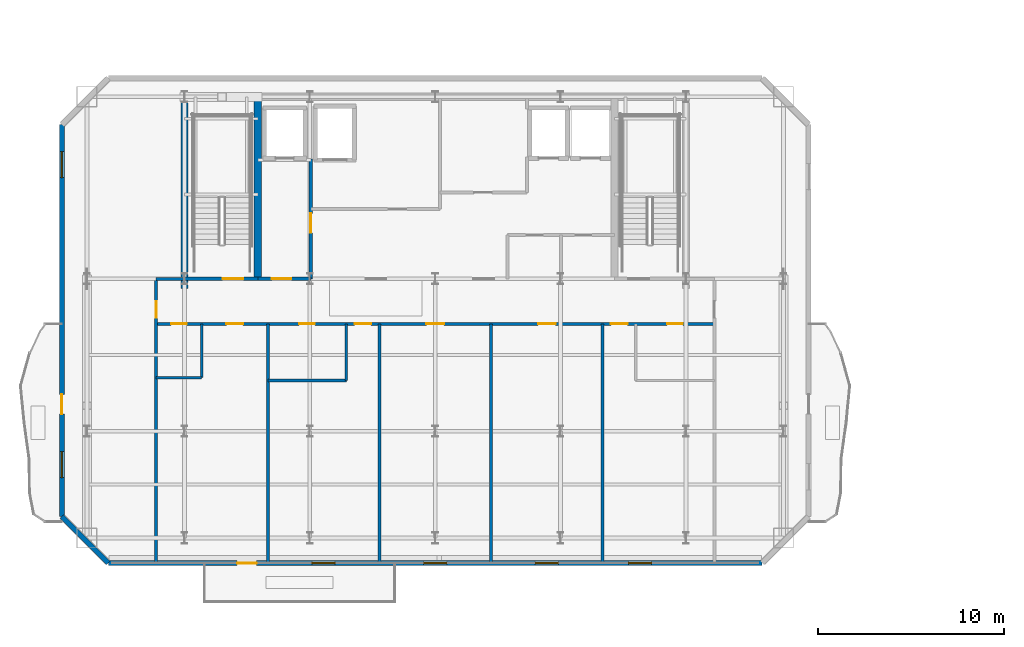
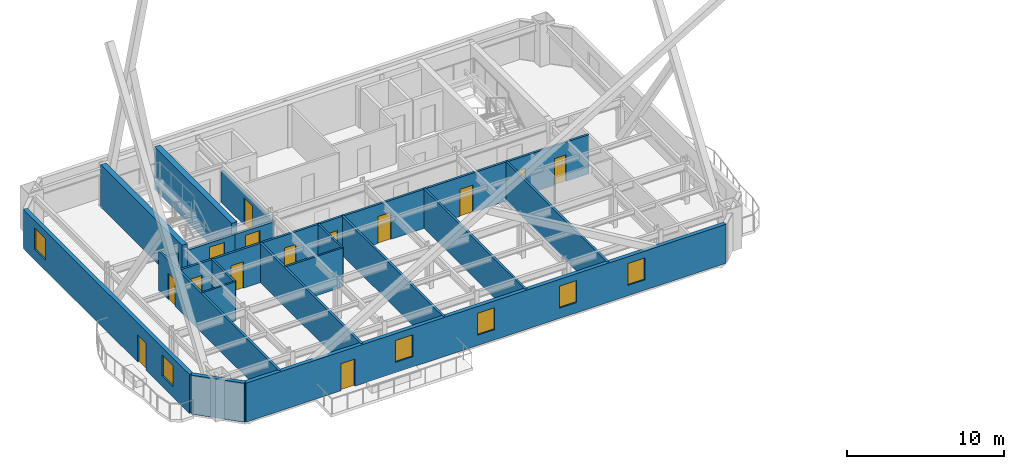
# One storey, part 10 of 19: 19 walls, 14 doors, 6 windows, 20 openings.
"""IFC4 building model written with IfcOpenShell, lengths in metres."""

from ifc_helpers import new_model, si_unit, direction, frame, frame_2d, origin, place, context, subcontext, project, spatial, rectangle, extrude, material, layer, layer_set, type_object, element, fill, save


model = new_model("IFC4")

# Units and contexts
model_context = context("Model", 3, precision=1e-05, world=origin(), true_north=direction((0.0, 1.0)))
body_context = subcontext(model_context, "Body", "Model", "MODEL_VIEW")
ifc_project = project(units=[si_unit("LENGTHUNIT", "METRE"), si_unit("AREAUNIT", "SQUARE_METRE"), si_unit("VOLUMEUNIT", "CUBIC_METRE"), si_unit("PLANEANGLEUNIT", "RADIAN"), si_unit("MASSUNIT", "GRAM", prefix="KILO")], contexts=[model_context])

# Site, building, storey
site_placement = place(None, origin())
site = spatial("IfcSite", under=ifc_project, at=site_placement, CompositionType="ELEMENT")
building_placement = place(site_placement, origin())
building = spatial("IfcBuilding", under=site, at=building_placement, Name="Haevon Station Towers", CompositionType="ELEMENT")
storey_placement = place(building_placement, frame((0.0, 0.0, 218.699951171875)))
storey = spatial("IfcBuildingStorey", under=building, at=storey_placement, Name="L60", CompositionType="ELEMENT", Elevation=218.699951171875)

# Wall, opening, door
ifc_material_1 = material(Name="Gypsum board on steel stud", Category="steel")
ifc_layer_1 = layer(ifc_material_1, 0.199951171875)
ifc_layer_set_1 = layer_set([ifc_layer_1], Name="Gypsum board on steel stud")
wall_type_1 = type_object("IfcWallType", Name="WL-COR200", PredefinedType="PARTITIONING", material=ifc_layer_set_1)
wall_1_placement = place(storey_placement, frame((24.0, 38.199951171875, 0.0), z_axis=(0.0, 0.0, 1.0), x_axis=(1.0, 0.0, 0.0)))
wall_1 = element("IfcWall", 1, at=wall_1_placement, inside=storey, type_object=wall_type_1, Name="WL-ST-ST1-L60", PredefinedType="PARTITIONING", context=body_context, shape_type="SweptSolid", body=[
    extrude(rectangle(XDim=3.949951171875, YDim=0.199951171875, at=frame_2d((1.97509765625, 0.0))), origin(), (0.0, 0.0, 1.0), 2.429931640625),
])
opening_1_placement = place(wall_1_placement, frame((2.050048828125, 0.0, 0.0)))
opening_1 = element("IfcOpeningElement", 2, at=opening_1_placement, cuts=wall_1, Name="Opening DR-ST-ST1-L60", PredefinedType="OPENING", context=body_context, shape_type="SweptSolid", body=[
    extrude(rectangle(XDim=1.1201171875, YDim=2.10009765625, at=frame_2d((0.56005859375, 1.050048828125))), frame((0.0, 0.10986328125, 0.0), z_axis=(0.0, -1.0, 0.0), x_axis=(1.0, 0.0, 0.0)), (0.0, 0.0, 1.0), 0.219970703125),
])
ifc_material_2 = material(Name="Engineered oak timber", Category="wood")
door_type_1 = type_object("IfcDoorType", Name="DR-ST-1120", OperationType="NOTDEFINED", PredefinedType="DOOR", material=ifc_material_2)
door_1_placement = place(opening_1_placement, origin())
door_1 = element("IfcDoor", 3, at=door_1_placement, inside=storey, type_object=door_type_1, Name="L60 Escape Stair ST1 Fire Door", OperationType="SINGLE_SWING_LEFT", OverallHeight=2.10009765625, OverallWidth=1.1201171875, PredefinedType="DOOR", context=body_context, shape_type="SweptSolid", body=[
    extrude(rectangle(XDim=1.1201171875, YDim=2.10009765625, at=frame_2d((0.56005859375, 1.050048828125))), frame((0.0, 0.02490234375, 0.0), z_axis=(0.0, -1.0, 0.0), x_axis=(1.0, 0.0, 0.0)), (0.0, 0.0, 1.0), 0.050048828125),
])
fill(opening_1, door_1)

wall_2_placement = place(storey_placement, frame((30.800048828125, 38.199951171875, 0.0), z_axis=(0.0, 0.0, 1.0), x_axis=(0.0, 1.0, 0.0)))
wall_2 = element("IfcWall", 4, at=wall_2_placement, inside=storey, type_object=wall_type_1, Name="WL-T1FFL-L60-E", PredefinedType="PARTITIONING", context=body_context, shape_type="SweptSolid", body=[
    extrude(rectangle(XDim=6.449951171875, YDim=0.199951171875, at=frame_2d((3.22509765625, 0.0))), origin(), (0.0, 0.0, 1.0), 2.429931640625),
])
opening_2_placement = place(wall_2_placement, frame((2.469970703125, 0.0, 0.0)))
opening_2 = element("IfcOpeningElement", 5, at=opening_2_placement, cuts=wall_2, Name="Opening DR-T1FFL-L60-E", PredefinedType="OPENING", context=body_context, shape_type="SweptSolid", body=[
    extrude(rectangle(XDim=1.050048828125, YDim=2.10009765625, at=frame_2d((0.52490234375, 1.050048828125))), frame((0.0, 0.10986328125, 0.0), z_axis=(0.0, -1.0, 0.0), x_axis=(1.0, 0.0, 0.0)), (0.0, 0.0, 1.0), 0.219970703125),
])
door_type_2 = type_object("IfcDoorType", Name="DR-FD60-1050", OperationType="NOTDEFINED", PredefinedType="DOOR", material=ifc_material_2)
door_2_placement = place(opening_2_placement, origin())
door_2 = element("IfcDoor", 6, at=door_2_placement, inside=storey, type_object=door_type_2, Name="L60 Tower 1 Firefighting Lift Lobby Door E", OperationType="SINGLE_SWING_LEFT", OverallHeight=2.10009765625, OverallWidth=1.050048828125, PredefinedType="DOOR", context=body_context, shape_type="SweptSolid", body=[
    extrude(rectangle(XDim=1.050048828125, YDim=2.10009765625, at=frame_2d((0.52490234375, 1.050048828125))), frame((0.0, 0.02490234375, 0.0), z_axis=(0.0, -1.0, 0.0), x_axis=(1.0, 0.0, 0.0)), (0.0, 0.0, 1.0), 0.050048828125),
])
fill(opening_2, door_2)

wall_3_placement = place(storey_placement, frame((27.949951171875, 38.199951171875, 0.0), z_axis=(0.0, 0.0, 1.0), x_axis=(1.0, 0.0, 0.0)))
wall_3 = element("IfcWall", 7, at=wall_3_placement, inside=storey, type_object=wall_type_1, Name="WL-T1FFL-L60-S", PredefinedType="PARTITIONING", context=body_context, shape_type="SweptSolid", body=[
    extrude(rectangle(XDim=2.85009765625, YDim=0.199951171875, at=frame_2d((1.425048828125, 0.0))), origin(), (0.0, 0.0, 1.0), 2.429931640625),
])
opening_3_placement = place(wall_3_placement, frame((0.75, 0.0, 0.0)))
opening_3 = element("IfcOpeningElement", 8, at=opening_3_placement, cuts=wall_3, Name="Opening DR-T1FFL-L60-S", PredefinedType="OPENING", context=body_context, shape_type="SweptSolid", body=[
    extrude(rectangle(XDim=1.050048828125, YDim=2.10009765625, at=frame_2d((0.52490234375, 1.050048828125))), frame((0.0, 0.10986328125, 0.0), z_axis=(0.0, -1.0, 0.0), x_axis=(1.0, 0.0, 0.0)), (0.0, 0.0, 1.0), 0.219970703125),
])
door_3_placement = place(opening_3_placement, origin())
door_3 = element("IfcDoor", 9, at=door_3_placement, inside=storey, type_object=door_type_2, Name="L60 Tower 1 Firefighting Lift Lobby Door S", OperationType="SINGLE_SWING_RIGHT", OverallHeight=2.10009765625, OverallWidth=1.050048828125, PredefinedType="DOOR", context=body_context, shape_type="SweptSolid", body=[
    extrude(rectangle(XDim=1.050048828125, YDim=2.10009765625, at=frame_2d((0.52490234375, 1.050048828125))), frame((0.0, 0.02490234375, 0.0), z_axis=(0.0, -1.0, 0.0), x_axis=(1.0, 0.0, 0.0)), (0.0, 0.0, 1.0), 0.050048828125),
])
fill(opening_3, door_3)

# Walls
ifc_material_3 = material(Name="Concrete C60/75", Category="concrete")
ifc_layer_2 = layer(ifc_material_3, 0.39990234375)
ifc_layer_set_2 = layer_set([ifc_layer_2], Name="Concrete C60/75")
wall_type_2 = type_object("IfcWallType", Name="WL-CR400", PredefinedType="SHEAR", material=ifc_layer_set_2)
wall_4_placement = place(storey_placement, frame((24.0, 37.679931640625, 0.0), z_axis=(0.0, 0.0, 1.0), x_axis=(0.0, 1.0, 0.0)))
element("IfcWall", 10, at=wall_4_placement, inside=storey, type_object=wall_type_2, Name="WL-T1CR-L60-W", PredefinedType="SHEAR", context=body_context, shape_type="SweptSolid", body=[
    extrude(rectangle(XDim=10.320068359375, YDim=0.39990234375, at=frame_2d((5.16015625, 0.0))), origin(), (0.0, 0.0, 1.0), 3.300048828125),
])
wall_5_placement = place(storey_placement, frame((27.949951171875, 38.199951171875, 0.0), z_axis=(0.0, 0.0, 1.0), x_axis=(0.0, 1.0, 0.0)))
element("IfcWall", 11, at=wall_5_placement, inside=storey, type_object=wall_type_2, Name="WL-T1CR-L60-M1", PredefinedType="SHEAR", context=body_context, shape_type="SweptSolid", body=[
    extrude(rectangle(XDim=9.800048828125, YDim=0.39990234375, at=frame_2d((4.89990234375, 0.0))), origin(), (0.0, 0.0, 1.0), 3.300048828125),
])

# Wall, openings, door, windows
ifc_material_4 = material(Name="Precast concrete C45/55", Category="concrete")
ifc_layer_3 = layer(ifc_material_4, 0.280029296875)
ifc_layer_set_3 = layer_set([ifc_layer_3], Name="Precast concrete C45/55")
wall_type_3 = type_object("IfcWallType", Name="WL-EXT-PIER280", PredefinedType="SOLIDWALL", material=ifc_layer_set_3)
wall_6_placement = place(storey_placement, frame((55.10009765625, 22.89990234375, 0.0), z_axis=(0.0, 0.0, 1.0), x_axis=(-1.0, 0.0, 0.0)))
wall_6 = element("IfcWall", 12, at=wall_6_placement, inside=storey, type_object=wall_type_3, Name="WL-T1-L60-S", PredefinedType="SOLIDWALL", context=body_context, shape_type="SweptSolid", body=[
    extrude(rectangle(XDim=35.2001953125, YDim=0.280029296875, at=frame_2d((17.60009765625, 0.0))), origin(), (0.0, 0.0, 1.0), 3.030029296875),
])
opening_4_placement = place(wall_6_placement, frame((27.21533203125, 0.0, 0.0)))
opening_4 = element("IfcOpeningElement", 13, at=opening_4_placement, cuts=wall_6, Name="Opening DR-T1-PBAND-L60-1", PredefinedType="OPENING", context=body_context, shape_type="SweptSolid", body=[
    extrude(rectangle(XDim=1.050048828125, YDim=2.10009765625, at=frame_2d((0.52490234375, 1.050048828125))), frame((0.0, 0.14990234375, 0.0), z_axis=(0.0, -1.0, 0.0), x_axis=(1.0, 0.0, 0.0)), (0.0, 0.0, 1.0), 0.300048828125),
])
opening_5_placement = place(wall_6_placement, frame((22.985107421875, 0.0, 0.800048828125)))
opening_5 = element("IfcOpeningElement", 14, at=opening_5_placement, cuts=wall_6, Name="Opening WN-P125", PredefinedType="OPENING", context=body_context, shape_type="SweptSolid", body=[
    extrude(rectangle(XDim=1.25, YDim=1.699951171875, at=frame_2d((0.625, 0.85009765625))), frame((0.0, 0.14990234375, 0.0), z_axis=(0.0, -1.0, 0.0), x_axis=(1.0, 0.0, 0.0)), (0.0, 0.0, 1.0), 0.300048828125),
])
opening_6_placement = place(wall_6_placement, frame((16.97509765625, 0.0, 0.800048828125)))
opening_6 = element("IfcOpeningElement", 15, at=opening_6_placement, cuts=wall_6, Name="Opening WN-P125", PredefinedType="OPENING", context=body_context, shape_type="SweptSolid", body=[
    extrude(rectangle(XDim=1.25, YDim=1.699951171875, at=frame_2d((0.625, 0.85009765625))), frame((0.0, 0.14990234375, 0.0), z_axis=(0.0, -1.0, 0.0), x_axis=(1.0, 0.0, 0.0)), (0.0, 0.0, 1.0), 0.300048828125),
])
opening_7_placement = place(wall_6_placement, frame((10.965087890625, 0.0, 0.800048828125)))
opening_7 = element("IfcOpeningElement", 16, at=opening_7_placement, cuts=wall_6, Name="Opening WN-P125", PredefinedType="OPENING", context=body_context, shape_type="SweptSolid", body=[
    extrude(rectangle(XDim=1.25, YDim=1.699951171875, at=frame_2d((0.625, 0.85009765625))), frame((0.0, 0.14990234375, 0.0), z_axis=(0.0, -1.0, 0.0), x_axis=(1.0, 0.0, 0.0)), (0.0, 0.0, 1.0), 0.300048828125),
])
opening_8_placement = place(wall_6_placement, frame((5.955078125, 0.0, 0.800048828125)))
opening_8 = element("IfcOpeningElement", 17, at=opening_8_placement, cuts=wall_6, Name="Opening WN-P125", PredefinedType="OPENING", context=body_context, shape_type="SweptSolid", body=[
    extrude(rectangle(XDim=1.25, YDim=1.699951171875, at=frame_2d((0.625, 0.85009765625))), frame((0.0, 0.14990234375, 0.0), z_axis=(0.0, -1.0, 0.0), x_axis=(1.0, 0.0, 0.0)), (0.0, 0.0, 1.0), 0.300048828125),
])
ifc_material_5 = material(Name="Thermally broken anodised aluminium and laminated safety glass", Category="aluminium")
door_type_3 = type_object("IfcDoorType", Name="DR-BALC-1050", OperationType="NOTDEFINED", PredefinedType="DOOR", material=ifc_material_5)
door_4_placement = place(opening_4_placement, origin())
door_4 = element("IfcDoor", 18, at=door_4_placement, inside=storey, type_object=door_type_3, Name="Tower 1 L60 Balcony Terrace Door", OperationType="SINGLE_SWING_RIGHT", OverallHeight=2.10009765625, OverallWidth=1.050048828125, PredefinedType="DOOR", context=body_context, shape_type="SweptSolid", body=[
    extrude(rectangle(XDim=1.050048828125, YDim=2.10009765625, at=frame_2d((0.52490234375, 1.050048828125))), frame((0.0, 0.02490234375, 0.0), z_axis=(0.0, -1.0, 0.0), x_axis=(1.0, 0.0, 0.0)), (0.0, 0.0, 1.0), 0.050048828125),
])
fill(opening_4, door_4)
ifc_material_6 = material(Name="Low-E triple glazing in thermally broken aluminium", Category="aluminium")
window_type_1 = type_object("IfcWindowType", Name="WN-P125", PartitioningType="SINGLE_PANEL", PredefinedType="WINDOW", material=ifc_material_6)
window_1_placement = place(opening_5_placement, origin())
window_1 = element("IfcWindow", 19, at=window_1_placement, inside=storey, type_object=window_type_1, Name="WN-T1-L60-S01", OverallHeight=1.699951171875, OverallWidth=1.25, PartitioningType="SINGLE_PANEL", PredefinedType="WINDOW", context=body_context, shape_type="SweptSolid", body=[
    extrude(rectangle(XDim=1.25, YDim=1.699951171875, at=frame_2d((0.625, 0.85009765625))), frame((0.0, 0.030029296875, 0.0), z_axis=(0.0, -1.0, 0.0), x_axis=(1.0, 0.0, 0.0)), (0.0, 0.0, 1.0), 0.06005859375),
])
fill(opening_5, window_1)
window_2_placement = place(opening_6_placement, origin())
window_2 = element("IfcWindow", 20, at=window_2_placement, inside=storey, type_object=window_type_1, Name="WN-T1-L60-S02", OverallHeight=1.699951171875, OverallWidth=1.25, PartitioningType="SINGLE_PANEL", PredefinedType="WINDOW", context=body_context, shape_type="SweptSolid", body=[
    extrude(rectangle(XDim=1.25, YDim=1.699951171875, at=frame_2d((0.625, 0.85009765625))), frame((0.0, 0.030029296875, 0.0), z_axis=(0.0, -1.0, 0.0), x_axis=(1.0, 0.0, 0.0)), (0.0, 0.0, 1.0), 0.06005859375),
])
fill(opening_6, window_2)
window_3_placement = place(opening_7_placement, origin())
window_3 = element("IfcWindow", 21, at=window_3_placement, inside=storey, type_object=window_type_1, Name="WN-T1-L60-S03", OverallHeight=1.699951171875, OverallWidth=1.25, PartitioningType="SINGLE_PANEL", PredefinedType="WINDOW", context=body_context, shape_type="SweptSolid", body=[
    extrude(rectangle(XDim=1.25, YDim=1.699951171875, at=frame_2d((0.625, 0.85009765625))), frame((0.0, 0.030029296875, 0.0), z_axis=(0.0, -1.0, 0.0), x_axis=(1.0, 0.0, 0.0)), (0.0, 0.0, 1.0), 0.06005859375),
])
fill(opening_7, window_3)
window_4_placement = place(opening_8_placement, origin())
window_4 = element("IfcWindow", 22, at=window_4_placement, inside=storey, type_object=window_type_1, Name="WN-T1-L60-S04", OverallHeight=1.699951171875, OverallWidth=1.25, PartitioningType="SINGLE_PANEL", PredefinedType="WINDOW", context=body_context, shape_type="SweptSolid", body=[
    extrude(rectangle(XDim=1.25, YDim=1.699951171875, at=frame_2d((0.625, 0.85009765625))), frame((0.0, 0.030029296875, 0.0), z_axis=(0.0, -1.0, 0.0), x_axis=(1.0, 0.0, 0.0)), (0.0, 0.0, 1.0), 0.06005859375),
])
fill(opening_8, window_4)

# Wall
wall_7_placement = place(storey_placement, frame((19.89990234375, 22.89990234375, 0.0), z_axis=(0.0, 0.0, 1.0), x_axis=(-0.707106781187, 0.707106781187, 0.0)))
element("IfcWall", 23, at=wall_7_placement, inside=storey, type_object=wall_type_3, Name="WL-T1-L60-SWC", PredefinedType="SOLIDWALL", context=body_context, shape_type="SweptSolid", body=[
    extrude(rectangle(XDim=3.53564453125, YDim=0.280029296875, at=frame_2d((1.767822265625, 0.0))), origin(), (0.0, 0.0, 1.0), 3.030029296875),
])

# Wall, openings, door, windows
wall_8_placement = place(storey_placement, frame((17.39990234375, 25.39990234375, 0.0), z_axis=(0.0, 0.0, 1.0), x_axis=(0.0, 1.0, 0.0)))
wall_8 = element("IfcWall", 24, at=wall_8_placement, inside=storey, type_object=wall_type_3, Name="WL-T1-L60-W", PredefinedType="SOLIDWALL", context=body_context, shape_type="SweptSolid", body=[
    extrude(rectangle(XDim=21.10009765625, YDim=0.280029296875, at=frame_2d((10.550048828125, 0.0))), origin(), (0.0, 0.0, 1.0), 3.030029296875),
])
opening_9_placement = place(wall_8_placement, frame((5.52490234375, 0.0, 0.0)))
opening_9 = element("IfcOpeningElement", 25, at=opening_9_placement, cuts=wall_8, Name="Opening DR-T1-SCAL-L60-W", PredefinedType="OPENING", context=body_context, shape_type="SweptSolid", body=[
    extrude(rectangle(XDim=1.050048828125, YDim=2.10009765625, at=frame_2d((0.52490234375, 1.050048828125))), frame((0.0, 0.14990234375, 0.0), z_axis=(0.0, -1.0, 0.0), x_axis=(1.0, 0.0, 0.0)), (0.0, 0.0, 1.0), 0.300048828125),
])
opening_10_placement = place(wall_8_placement, frame((2.093017578125, 0.0, 0.800048828125)))
opening_10 = element("IfcOpeningElement", 26, at=opening_10_placement, cuts=wall_8, Name="Opening WN-END140", PredefinedType="OPENING", context=body_context, shape_type="SweptSolid", body=[
    extrude(rectangle(XDim=1.39990234375, YDim=1.64990234375, at=frame_2d((0.699951171875, 0.824951171875))), frame((0.0, 0.14990234375, 0.0), z_axis=(0.0, -1.0, 0.0), x_axis=(1.0, 0.0, 0.0)), (0.0, 0.0, 1.0), 0.300048828125),
])
opening_11_placement = place(wall_8_placement, frame((18.253662109375, 0.0, 0.800048828125)))
opening_11 = element("IfcOpeningElement", 27, at=opening_11_placement, cuts=wall_8, Name="Opening WN-END140", PredefinedType="OPENING", context=body_context, shape_type="SweptSolid", body=[
    extrude(rectangle(XDim=1.39990234375, YDim=1.64990234375, at=frame_2d((0.699951171875, 0.824951171875))), frame((0.0, 0.14990234375, 0.0), z_axis=(0.0, -1.0, 0.0), x_axis=(1.0, 0.0, 0.0)), (0.0, 0.0, 1.0), 0.300048828125),
])
door_5_placement = place(opening_9_placement, origin())
door_5 = element("IfcDoor", 28, at=door_5_placement, inside=storey, type_object=door_type_3, Name="Tower 1 L60 West Scalloped Balcony Door", OperationType="SINGLE_SWING_LEFT", OverallHeight=2.10009765625, OverallWidth=1.050048828125, PredefinedType="DOOR", context=body_context, shape_type="SweptSolid", body=[
    extrude(rectangle(XDim=1.050048828125, YDim=2.10009765625, at=frame_2d((0.52490234375, 1.050048828125))), frame((0.0, 0.02490234375, 0.0), z_axis=(0.0, -1.0, 0.0), x_axis=(1.0, 0.0, 0.0)), (0.0, 0.0, 1.0), 0.050048828125),
])
fill(opening_9, door_5)
window_type_2 = type_object("IfcWindowType", Name="WN-END140", PartitioningType="SINGLE_PANEL", PredefinedType="WINDOW", material=ifc_material_6)
window_5_placement = place(opening_10_placement, origin())
window_5 = element("IfcWindow", 29, at=window_5_placement, inside=storey, type_object=window_type_2, Name="WN-T1-L60-W01", OverallHeight=1.64990234375, OverallWidth=1.39990234375, PartitioningType="SINGLE_PANEL", PredefinedType="WINDOW", context=body_context, shape_type="SweptSolid", body=[
    extrude(rectangle(XDim=1.39990234375, YDim=1.64990234375, at=frame_2d((0.699951171875, 0.824951171875))), frame((0.0, 0.030029296875, 0.0), z_axis=(0.0, -1.0, 0.0), x_axis=(1.0, 0.0, 0.0)), (0.0, 0.0, 1.0), 0.06005859375),
])
fill(opening_10, window_5)
window_6_placement = place(opening_11_placement, origin())
window_6 = element("IfcWindow", 30, at=window_6_placement, inside=storey, type_object=window_type_2, Name="WN-T1-L60-W02", OverallHeight=1.64990234375, OverallWidth=1.39990234375, PartitioningType="SINGLE_PANEL", PredefinedType="WINDOW", context=body_context, shape_type="SweptSolid", body=[
    extrude(rectangle(XDim=1.39990234375, YDim=1.64990234375, at=frame_2d((0.699951171875, 0.824951171875))), frame((0.0, 0.030029296875, 0.0), z_axis=(0.0, -1.0, 0.0), x_axis=(1.0, 0.0, 0.0)), (0.0, 0.0, 1.0), 0.06005859375),
])
fill(opening_11, window_6)

# Walls
ifc_layer_4 = layer(ifc_material_1, 0.125)
ifc_layer_set_4 = layer_set([ifc_layer_4], Name="Gypsum board on steel stud")
wall_type_4 = type_object("IfcWallType", Name="WL-PRT125", PredefinedType="PARTITIONING", material=ifc_layer_set_4)
wall_9_placement = place(storey_placement, frame((22.47509765625, 32.8798828125, 0.0), z_axis=(0.0, 0.0, 1.0), x_axis=(1.0, 0.0, 0.0)))
element("IfcWall", 31, at=wall_9_placement, inside=storey, type_object=wall_type_4, Name="WL-T1PT-L60-05", PredefinedType="PARTITIONING", context=body_context, shape_type="SweptSolid", body=[
    extrude(rectangle(XDim=2.449951171875, YDim=0.125, at=frame_2d((1.22509765625, 0.0))), origin(), (0.0, 0.0, 1.0), 3.030029296875),
])
wall_10_placement = place(storey_placement, frame((32.715087890625, 32.72998046875, 0.0), z_axis=(0.0, 0.0, 1.0), x_axis=(0.0, 1.0, 0.0)))
element("IfcWall", 32, at=wall_10_placement, inside=storey, type_object=wall_type_4, Name="WL-T1PT-L60-09", PredefinedType="PARTITIONING", context=body_context, shape_type="SweptSolid", body=[
    extrude(rectangle(XDim=3.050048828125, YDim=0.125, at=frame_2d((1.52490234375, 0.0))), origin(), (0.0, 0.0, 1.0), 3.030029296875),
])
ifc_layer_5 = layer(ifc_material_1, 0.139892578125)
ifc_layer_set_5 = layer_set([ifc_layer_5], Name="Gypsum board on steel stud")
wall_type_5 = type_object("IfcWallType", Name="WL-PRT140", PredefinedType="PARTITIONING", material=ifc_layer_set_5)
wall_11_placement = place(storey_placement, frame((24.925048828125, 32.8798828125, 0.0), z_axis=(0.0, 0.0, 1.0), x_axis=(0.0, 1.0, 0.0)))
element("IfcWall", 33, at=wall_11_placement, inside=storey, type_object=wall_type_5, Name="WL-T1PT-L60-06", PredefinedType="PARTITIONING", context=body_context, shape_type="SweptSolid", body=[
    extrude(rectangle(XDim=2.900146484375, YDim=0.139892578125, at=frame_2d((1.4501953125, 0.0))), origin(), (0.0, 0.0, 1.0), 3.030029296875),
])
wall_12_placement = place(storey_placement, frame((28.485107421875, 32.72998046875, 0.0), z_axis=(0.0, 0.0, 1.0), x_axis=(1.0, 0.0, 0.0)))
element("IfcWall", 34, at=wall_12_placement, inside=storey, type_object=wall_type_5, Name="WL-T1PT-L60-08", PredefinedType="PARTITIONING", context=body_context, shape_type="SweptSolid", body=[
    extrude(rectangle(XDim=4.22998046875, YDim=0.139892578125, at=frame_2d((2.114990234375, 0.0))), origin(), (0.0, 0.0, 1.0), 3.030029296875),
])
ifc_layer_6 = layer(ifc_material_1, 0.159912109375)
ifc_layer_set_6 = layer_set([ifc_layer_6], Name="Gypsum board on steel stud")
wall_type_6 = type_object("IfcWallType", Name="WL-PRT160", PredefinedType="PARTITIONING", material=ifc_layer_set_6)
wall_13_placement = place(storey_placement, frame((22.47509765625, 38.199951171875, 0.0), z_axis=(0.0, 0.0, 1.0), x_axis=(1.0, 0.0, 0.0)))
element("IfcWall", 35, at=wall_13_placement, inside=storey, type_object=wall_type_6, Name="WL-T1PT-L60-01", PredefinedType="PARTITIONING", context=body_context, shape_type="SweptSolid", body=[
    extrude(rectangle(XDim=1.52490234375, YDim=0.159912109375, at=frame_2d((0.762451171875, 0.0))), origin(), (0.0, 0.0, 1.0), 2.429931640625),
])

# Wall, opening, door
wall_14_placement = place(storey_placement, frame((22.47509765625, 22.89990234375, 0.0), z_axis=(0.0, 0.0, 1.0), x_axis=(0.0, 1.0, 0.0)))
wall_14 = element("IfcWall", 36, at=wall_14_placement, inside=storey, type_object=wall_type_6, Name="WL-T1PT-L60-03", PredefinedType="PARTITIONING", context=body_context, shape_type="SweptSolid", body=[
    extrude(rectangle(XDim=15.300048828125, YDim=0.159912109375, at=frame_2d((7.64990234375, 0.0))), origin(), (0.0, 0.0, 1.0), 3.030029296875),
])
opening_12_placement = place(wall_14_placement, frame((13.199951171875, 0.0, 0.0)))
opening_12 = element("IfcOpeningElement", 37, at=opening_12_placement, cuts=wall_14, Name="Opening DR-WL-T1PT-L60-03-01", PredefinedType="OPENING", context=body_context, shape_type="SweptSolid", body=[
    extrude(rectangle(XDim=0.89990234375, YDim=2.050048828125, at=frame_2d((0.449951171875, 1.02490234375))), frame((0.0, 0.08984375, 0.0), z_axis=(0.0, -1.0, 0.0), x_axis=(1.0, 0.0, 0.0)), (0.0, 0.0, 1.0), 0.179931640625),
])
door_type_4 = type_object("IfcDoorType", Name="DR-INT-900", OperationType="NOTDEFINED", PredefinedType="DOOR", material=ifc_material_2)
door_6_placement = place(opening_12_placement, origin())
door_6 = element("IfcDoor", 38, at=door_6_placement, inside=storey, type_object=door_type_4, Name="L60 Tower 1 Room Door 3-1", OperationType="SINGLE_SWING_RIGHT", OverallHeight=2.050048828125, OverallWidth=0.89990234375, PredefinedType="DOOR", context=body_context, shape_type="SweptSolid", body=[
    extrude(rectangle(XDim=0.89990234375, YDim=2.050048828125, at=frame_2d((0.449951171875, 1.02490234375))), frame((0.0, 0.02490234375, 0.0), z_axis=(0.0, -1.0, 0.0), x_axis=(1.0, 0.0, 0.0)), (0.0, 0.0, 1.0), 0.050048828125),
])
fill(opening_12, door_6)

# Walls
for number, where, z_axis, x_axis, name in (
    (39, (28.485107421875, 22.89990234375, 0.0), (0.0, 0.0, 1.0), (0.0, 1.0, 0.0), "WL-T1PT-L60-07"),
    (40, (34.4951171875, 22.89990234375, 0.0), (0.0, 0.0, 1.0), (0.0, 1.0, 0.0), "WL-T1PT-L60-10"),
    (41, (40.5048828125, 22.89990234375, 0.0), (0.0, 0.0, 1.0), (0.0, 1.0, 0.0), "WL-T1PT-L60-11"),
    (42, (46.514892578125, 22.89990234375, 0.0), (0.0, 0.0, 1.0), (0.0, 1.0, 0.0), "WL-T1PT-L60-12"),
):
    element("IfcWall", number, at=place(storey_placement, frame(where, z_axis=z_axis, x_axis=x_axis)), inside=storey, type_object=wall_type_6, Name=name, PredefinedType="PARTITIONING", context=body_context, shape_type="SweptSolid", body=[
        extrude(rectangle(XDim=12.880126953125, YDim=0.159912109375, at=frame_2d((6.43994140625, 0.0))), origin(), (0.0, 0.0, 1.0), 3.030029296875),
    ])

# Wall, openings, doors
wall_15_placement = place(storey_placement, frame((22.47509765625, 35.780029296875, 0.0), z_axis=(0.0, 0.0, 1.0), x_axis=(1.0, 0.0, 0.0)))
wall_15 = element("IfcWall", 43, at=wall_15_placement, inside=storey, type_object=wall_type_6, Name="WL-T1PT-L60-15", PredefinedType="PARTITIONING", context=body_context, shape_type="SweptSolid", body=[
    extrude(rectangle(XDim=30.0498046875, YDim=0.159912109375, at=frame_2d((15.02490234375, 0.0))), origin(), (0.0, 0.0, 1.0), 3.030029296875),
])
opening_13_placement = place(wall_15_placement, frame((0.800048828125, 0.0, 0.0)))
opening_13 = element("IfcOpeningElement", 44, at=opening_13_placement, cuts=wall_15, Name="Opening DR-WL-T1PT-L60-15-01", PredefinedType="OPENING", context=body_context, shape_type="SweptSolid", body=[
    extrude(rectangle(XDim=0.85009765625, YDim=2.050048828125, at=frame_2d((0.425048828125, 1.02490234375))), frame((0.0, 0.08984375, 0.0), z_axis=(0.0, -1.0, 0.0), x_axis=(1.0, 0.0, 0.0)), (0.0, 0.0, 1.0), 0.179931640625),
])
opening_14_placement = place(wall_15_placement, frame((3.780029296875, 0.0, 0.0)))
opening_14 = element("IfcOpeningElement", 45, at=opening_14_placement, cuts=wall_15, Name="Opening DR-WL-T1PT-L60-15-02", PredefinedType="OPENING", context=body_context, shape_type="SweptSolid", body=[
    extrude(rectangle(XDim=0.89990234375, YDim=2.050048828125, at=frame_2d((0.449951171875, 1.02490234375))), frame((0.0, 0.08984375, 0.0), z_axis=(0.0, -1.0, 0.0), x_axis=(1.0, 0.0, 0.0)), (0.0, 0.0, 1.0), 0.179931640625),
])
opening_15_placement = place(wall_15_placement, frame((7.699951171875, 0.0, 0.0)))
opening_15 = element("IfcOpeningElement", 46, at=opening_15_placement, cuts=wall_15, Name="Opening DR-WL-T1PT-L60-15-03", PredefinedType="OPENING", context=body_context, shape_type="SweptSolid", body=[
    extrude(rectangle(XDim=0.85009765625, YDim=2.050048828125, at=frame_2d((0.425048828125, 1.02490234375))), frame((0.0, 0.08984375, 0.0), z_axis=(0.0, -1.0, 0.0), x_axis=(1.0, 0.0, 0.0)), (0.0, 0.0, 1.0), 0.179931640625),
])
opening_16_placement = place(wall_15_placement, frame((10.679931640625, 0.0, 0.0)))
opening_16 = element("IfcOpeningElement", 47, at=opening_16_placement, cuts=wall_15, Name="Opening DR-WL-T1PT-L60-15-04", PredefinedType="OPENING", context=body_context, shape_type="SweptSolid", body=[
    extrude(rectangle(XDim=0.89990234375, YDim=2.050048828125, at=frame_2d((0.449951171875, 1.02490234375))), frame((0.0, 0.08984375, 0.0), z_axis=(0.0, -1.0, 0.0), x_axis=(1.0, 0.0, 0.0)), (0.0, 0.0, 1.0), 0.179931640625),
])
opening_17_placement = place(wall_15_placement, frame((14.550048828125, 0.0, 0.0)))
opening_17 = element("IfcOpeningElement", 48, at=opening_17_placement, cuts=wall_15, Name="Opening DR-WL-T1PT-L60-15-05", PredefinedType="OPENING", context=body_context, shape_type="SweptSolid", body=[
    extrude(rectangle(XDim=0.949951171875, YDim=2.10009765625, at=frame_2d((0.47509765625, 1.050048828125))), frame((0.0, 0.08984375, 0.0), z_axis=(0.0, -1.0, 0.0), x_axis=(1.0, 0.0, 0.0)), (0.0, 0.0, 1.0), 0.179931640625),
])
opening_18_placement = place(wall_15_placement, frame((20.56005859375, 0.0, 0.0)))
opening_18 = element("IfcOpeningElement", 49, at=opening_18_placement, cuts=wall_15, Name="Opening DR-WL-T1PT-L60-15-06", PredefinedType="OPENING", context=body_context, shape_type="SweptSolid", body=[
    extrude(rectangle(XDim=0.949951171875, YDim=2.10009765625, at=frame_2d((0.47509765625, 1.050048828125))), frame((0.0, 0.08984375, 0.0), z_axis=(0.0, -1.0, 0.0), x_axis=(1.0, 0.0, 0.0)), (0.0, 0.0, 1.0), 0.179931640625),
])
opening_19_placement = place(wall_15_placement, frame((27.510009765625, 0.0, 0.0)))
opening_19 = element("IfcOpeningElement", 50, at=opening_19_placement, cuts=wall_15, Name="Opening DR-WL-T1PT-L60-15-07", PredefinedType="OPENING", context=body_context, shape_type="SweptSolid", body=[
    extrude(rectangle(XDim=0.85009765625, YDim=2.050048828125, at=frame_2d((0.425048828125, 1.02490234375))), frame((0.0, 0.08984375, 0.0), z_axis=(0.0, -1.0, 0.0), x_axis=(1.0, 0.0, 0.0)), (0.0, 0.0, 1.0), 0.179931640625),
])
opening_20_placement = place(wall_15_placement, frame((24.47998046875, 0.0, 0.0)))
opening_20 = element("IfcOpeningElement", 51, at=opening_20_placement, cuts=wall_15, Name="Opening DR-WL-T1PT-L60-15-08", PredefinedType="OPENING", context=body_context, shape_type="SweptSolid", body=[
    extrude(rectangle(XDim=0.89990234375, YDim=2.050048828125, at=frame_2d((0.449951171875, 1.02490234375))), frame((0.0, 0.08984375, 0.0), z_axis=(0.0, -1.0, 0.0), x_axis=(1.0, 0.0, 0.0)), (0.0, 0.0, 1.0), 0.179931640625),
])
door_type_5 = type_object("IfcDoorType", Name="DR-FD30-850", OperationType="NOTDEFINED", PredefinedType="DOOR", material=ifc_material_2)
door_7_placement = place(opening_13_placement, origin())
door_7 = element("IfcDoor", 52, at=door_7_placement, inside=storey, type_object=door_type_5, Name="L60 Tower 1 Room Door 15-1", OperationType="SINGLE_SWING_RIGHT", OverallHeight=2.050048828125, OverallWidth=0.85009765625, PredefinedType="DOOR", context=body_context, shape_type="SweptSolid", body=[
    extrude(rectangle(XDim=0.85009765625, YDim=2.050048828125, at=frame_2d((0.425048828125, 1.02490234375))), frame((0.0, 0.02490234375, 0.0), z_axis=(0.0, -1.0, 0.0), x_axis=(1.0, 0.0, 0.0)), (0.0, 0.0, 1.0), 0.050048828125),
])
fill(opening_13, door_7)
door_8_placement = place(opening_15_placement, origin())
door_8 = element("IfcDoor", 53, at=door_8_placement, inside=storey, type_object=door_type_5, Name="L60 Tower 1 Room Door 15-3", OperationType="SINGLE_SWING_RIGHT", OverallHeight=2.050048828125, OverallWidth=0.85009765625, PredefinedType="DOOR", context=body_context, shape_type="SweptSolid", body=[
    extrude(rectangle(XDim=0.85009765625, YDim=2.050048828125, at=frame_2d((0.425048828125, 1.02490234375))), frame((0.0, 0.02490234375, 0.0), z_axis=(0.0, -1.0, 0.0), x_axis=(1.0, 0.0, 0.0)), (0.0, 0.0, 1.0), 0.050048828125),
])
fill(opening_15, door_8)
door_9_placement = place(opening_19_placement, origin())
door_9 = element("IfcDoor", 54, at=door_9_placement, inside=storey, type_object=door_type_5, Name="L60 Tower 1 Room Door 15-7", OperationType="SINGLE_SWING_RIGHT", OverallHeight=2.050048828125, OverallWidth=0.85009765625, PredefinedType="DOOR", context=body_context, shape_type="SweptSolid", body=[
    extrude(rectangle(XDim=0.85009765625, YDim=2.050048828125, at=frame_2d((0.425048828125, 1.02490234375))), frame((0.0, 0.02490234375, 0.0), z_axis=(0.0, -1.0, 0.0), x_axis=(1.0, 0.0, 0.0)), (0.0, 0.0, 1.0), 0.050048828125),
])
fill(opening_19, door_9)
door_type_6 = type_object("IfcDoorType", Name="DR-FD30-950", OperationType="NOTDEFINED", PredefinedType="DOOR", material=ifc_material_2)
door_10_placement = place(opening_17_placement, origin())
door_10 = element("IfcDoor", 55, at=door_10_placement, inside=storey, type_object=door_type_6, Name="L60 Tower 1 Room Door 15-5", OperationType="SINGLE_SWING_RIGHT", OverallHeight=2.10009765625, OverallWidth=0.949951171875, PredefinedType="DOOR", context=body_context, shape_type="SweptSolid", body=[
    extrude(rectangle(XDim=0.949951171875, YDim=2.10009765625, at=frame_2d((0.47509765625, 1.050048828125))), frame((0.0, 0.02490234375, 0.0), z_axis=(0.0, -1.0, 0.0), x_axis=(1.0, 0.0, 0.0)), (0.0, 0.0, 1.0), 0.050048828125),
])
fill(opening_17, door_10)
door_11_placement = place(opening_18_placement, origin())
door_11 = element("IfcDoor", 56, at=door_11_placement, inside=storey, type_object=door_type_6, Name="L60 Tower 1 Room Door 15-6", OperationType="SINGLE_SWING_LEFT", OverallHeight=2.10009765625, OverallWidth=0.949951171875, PredefinedType="DOOR", context=body_context, shape_type="SweptSolid", body=[
    extrude(rectangle(XDim=0.949951171875, YDim=2.10009765625, at=frame_2d((0.47509765625, 1.050048828125))), frame((0.0, 0.02490234375, 0.0), z_axis=(0.0, -1.0, 0.0), x_axis=(1.0, 0.0, 0.0)), (0.0, 0.0, 1.0), 0.050048828125),
])
fill(opening_18, door_11)
door_12_placement = place(opening_14_placement, origin())
door_12 = element("IfcDoor", 57, at=door_12_placement, inside=storey, type_object=door_type_4, Name="L60 Tower 1 Room Door 15-2", OperationType="SINGLE_SWING_LEFT", OverallHeight=2.050048828125, OverallWidth=0.89990234375, PredefinedType="DOOR", context=body_context, shape_type="SweptSolid", body=[
    extrude(rectangle(XDim=0.89990234375, YDim=2.050048828125, at=frame_2d((0.449951171875, 1.02490234375))), frame((0.0, 0.02490234375, 0.0), z_axis=(0.0, -1.0, 0.0), x_axis=(1.0, 0.0, 0.0)), (0.0, 0.0, 1.0), 0.050048828125),
])
fill(opening_14, door_12)
door_13_placement = place(opening_16_placement, origin())
door_13 = element("IfcDoor", 58, at=door_13_placement, inside=storey, type_object=door_type_4, Name="L60 Tower 1 Room Door 15-4", OperationType="SINGLE_SWING_LEFT", OverallHeight=2.050048828125, OverallWidth=0.89990234375, PredefinedType="DOOR", context=body_context, shape_type="SweptSolid", body=[
    extrude(rectangle(XDim=0.89990234375, YDim=2.050048828125, at=frame_2d((0.449951171875, 1.02490234375))), frame((0.0, 0.02490234375, 0.0), z_axis=(0.0, -1.0, 0.0), x_axis=(1.0, 0.0, 0.0)), (0.0, 0.0, 1.0), 0.050048828125),
])
fill(opening_16, door_13)
door_14_placement = place(opening_20_placement, origin())
door_14 = element("IfcDoor", 59, at=door_14_placement, inside=storey, type_object=door_type_4, Name="L60 Tower 1 Room Door 15-8", OperationType="SINGLE_SWING_LEFT", OverallHeight=2.050048828125, OverallWidth=0.89990234375, PredefinedType="DOOR", context=body_context, shape_type="SweptSolid", body=[
    extrude(rectangle(XDim=0.89990234375, YDim=2.050048828125, at=frame_2d((0.449951171875, 1.02490234375))), frame((0.0, 0.02490234375, 0.0), z_axis=(0.0, -1.0, 0.0), x_axis=(1.0, 0.0, 0.0)), (0.0, 0.0, 1.0), 0.050048828125),
])
fill(opening_20, door_14)

save(model, "model.ifc")
